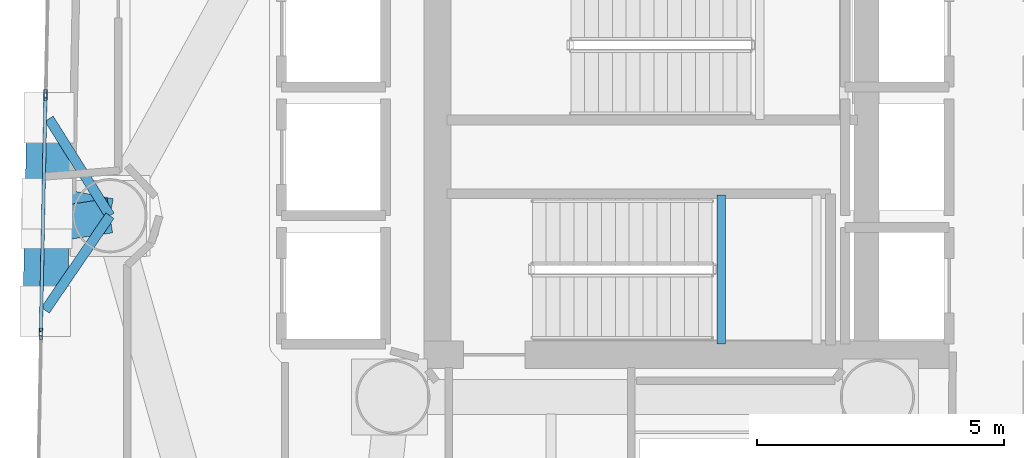
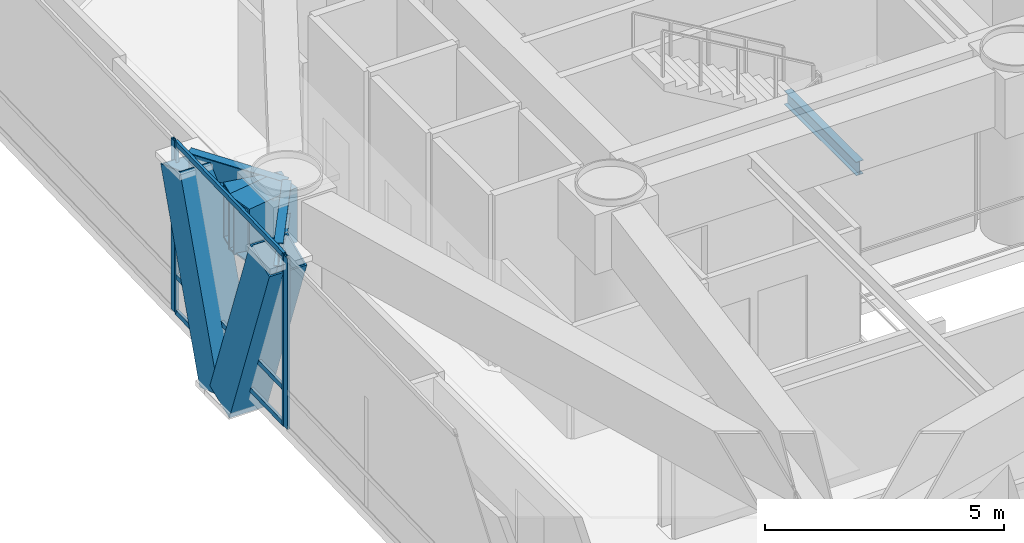
# One storey, part 7 of 22: 9 members, 5 beams, 3 elements without a shape of their own.
"""IFC4 building model written with IfcOpenShell, lengths in metres."""

from ifc_helpers import new_model, si_unit, direction, frame, origin, origin_2d, place, context, subcontext, project, spatial, hollow_rectangle, i_section, extrude, material, layer, layer_set, material_profile, profile_set, type_object, element, aggregate, save


model = new_model("IFC4")

# Units and contexts
model_context = context("Model", 3, precision=1e-05, world=origin(), true_north=direction((0.0, 1.0)))
body_context = subcontext(model_context, "Body", "Model", "MODEL_VIEW")
ifc_project = project(units=[si_unit("LENGTHUNIT", "METRE"), si_unit("AREAUNIT", "SQUARE_METRE"), si_unit("VOLUMEUNIT", "CUBIC_METRE"), si_unit("PLANEANGLEUNIT", "RADIAN"), si_unit("MASSUNIT", "GRAM", prefix="KILO")], contexts=[model_context])

# Site, building, storey
site_placement = place(None, origin())
site = spatial("IfcSite", under=ifc_project, at=site_placement, CompositionType="ELEMENT")
building_placement = place(site_placement, origin())
building = spatial("IfcBuilding", under=site, at=building_placement, Name="Qianvela Tower", CompositionType="ELEMENT")
storey_placement = place(building_placement, frame((0.0, 0.0, 138.5)))
storey = spatial("IfcBuildingStorey", under=building, at=storey_placement, Name="L35", CompositionType="ELEMENT", Elevation=138.5)

# Beams
ifc_material_1 = material(Name="Steel Q355B", Category="steel")
ifc_material_profile_1 = material_profile(ifc_material_1, i_section(OverallWidth=0.175048828125, OverallDepth=0.35009765625, WebThickness=0.007080078125, FlangeThickness=0.010986328125, at=origin_2d()), Name="HN350x175x7x11")
ifc_profile_set_1 = profile_set([ifc_material_profile_1], Name="Steel Q355B")
beam_type_1 = type_object("IfcBeamType", Name="BM-HN350-JOIST", PredefinedType="JOIST", material=ifc_profile_set_1)
beam_1_placement = place(storey_placement, frame((35.239990234375, 24.919921875, 1.925048828125), z_axis=(0.0, 1.0, 0.0), x_axis=(-1.0, 0.0, 0.0)))
element("IfcBeam", 1, at=beam_1_placement, inside=storey, type_object=beam_type_1, Name="L35 Stair ST-2 Landing Support Beam 1.1", PredefinedType="JOIST", context=body_context, shape_type="SweptSolid", body=[
    extrude(i_section(OverallWidth=0.175048828125, OverallDepth=0.35009765625, WebThickness=0.007080078125, FlangeThickness=0.010986328125, at=origin_2d()), origin(), (0.0, 0.0, 1.0), 3.02001953125),
])
ifc_material_2 = material(Name="Steel Q355B", Category="steel")
ifc_material_profile_2 = material_profile(ifc_material_2, i_section(OverallWidth=0.199951171875, OverallDepth=0.60009765625, WebThickness=0.010986328125, FlangeThickness=0.01708984375, at=origin_2d()), Name="HN600x200x11x17")
ifc_profile_set_2 = profile_set([ifc_material_profile_2], Name="Steel Q355B")
beam_type_2 = type_object("IfcBeamType", Name="BM-HN600-GIRD", PredefinedType="BEAM", material=ifc_profile_set_2)
beam_2_placement = place(storey_placement, frame((22.8779296875, 27.51611328125, 4.077880859375), z_axis=(-0.532042131363, 0.846717881266, 0.0), x_axis=(-0.846717881266, -0.532042131363, 0.0)))
element("IfcBeam", 2, at=beam_2_placement, inside=storey, type_object=beam_type_2, Name="L35 Mega-Brace Column Tie Bracket F2-1", PredefinedType="BEAM", context=body_context, shape_type="SweptSolid", body=[
    extrude(i_section(OverallWidth=0.199951171875, OverallDepth=0.60009765625, WebThickness=0.010986328125, FlangeThickness=0.01708984375, at=origin_2d()), origin(), (0.0, 0.0, 1.0), 2.318115234375),
])
beam_3_placement = place(storey_placement, frame((22.8779296875, 27.51611328125, 4.077880859375), z_axis=(-0.564672589739, -0.825315010404, 0.0), x_axis=(0.825315010404, -0.564672589739, 0.0)))
element("IfcBeam", 3, at=beam_3_placement, inside=storey, type_object=beam_type_2, Name="L35 Mega-Brace Column Tie Bracket F2-2", PredefinedType="BEAM", context=body_context, shape_type="SweptSolid", body=[
    extrude(i_section(OverallWidth=0.199951171875, OverallDepth=0.60009765625, WebThickness=0.010986328125, FlangeThickness=0.01708984375, at=origin_2d()), origin(), (0.0, 0.0, 1.0), 2.318359375),
])
ifc_material_3 = material(Name="Steel Q420GJC", Category="steel")
ifc_material_profile_3 = material_profile(ifc_material_3, hollow_rectangle(XDim=0.699951171875, YDim=1.39990234375, WallThickness=0.0400390625, at=origin_2d()), Name="TG-BOX-1400x700x40")
ifc_profile_set_3 = profile_set([ifc_material_profile_3], Name="Steel Q420GJC")
beam_type_3 = type_object("IfcBeamType", Name="BM-TG-STEP-1400", PredefinedType="BEAM", material=ifc_profile_set_3)
beam_4_placement = place(storey_placement, frame((22.8779296875, 27.51611328125, 3.675048828125), z_axis=(-0.98186174814, 0.189598279367, 0.0), x_axis=(-0.189598279367, -0.98186174814, 0.0)))
element("IfcBeam", 4, at=beam_4_placement, inside=storey, type_object=beam_type_3, Name="L35 Mega-Brace Zone Base Bracket F2-1", PredefinedType="BEAM", context=body_context, shape_type="SweptSolid", body=[
    extrude(hollow_rectangle(XDim=0.699951171875, YDim=1.39990234375, WallThickness=0.0400390625, at=origin_2d()), origin(), (0.0, 0.0, 1.0), 1.290283203125),
])
beam_5_placement = place(storey_placement, frame((22.8779296875, 27.51611328125, 3.675048828125), z_axis=(-0.988480796351, -0.151346342025, 0.0), x_axis=(0.151346342025, -0.988480796351, 0.0)))
element("IfcBeam", 5, at=beam_5_placement, inside=storey, type_object=beam_type_3, Name="L35 Mega-Brace Zone Base Bracket F2-2", PredefinedType="BEAM", context=body_context, shape_type="SweptSolid", body=[
    extrude(hollow_rectangle(XDim=0.699951171875, YDim=1.39990234375, WallThickness=0.0400390625, at=origin_2d()), origin(), (0.0, 0.0, 1.0), 1.29052734375),
])

# Curtain wall, members
ifc_material_4 = material(Name="Anodised Architectural Aluminium and Insulated Spandrel Panel", Category="aluminium")
ifc_layer_1 = layer(ifc_material_4, 0.179931640625)
ifc_layer_set_1 = layer_set([ifc_layer_1], Name="Anodised Architectural Aluminium and Insulated Spandrel Panel")
curtain_wall_type_1 = type_object("IfcCurtainWallType", Name="CW-BRACEBAY", PredefinedType="USERDEFINED", material=ifc_layer_set_1)
curtain_wall_1_placement = place(storey_placement, origin())
curtain_wall_1 = element("IfcCurtainWall", 6, at=curtain_wall_1_placement, inside=storey, type_object=curtain_wall_type_1, Name="L35 CW-BRACEBAY Curtain Wall 04B", ObjectType="CURTAIN_WALL_SYSTEM", PredefinedType="USERDEFINED")
ifc_material_5 = material(Name="Anodised Architectural Aluminium 6063-T6", Category="aluminium")
ifc_material_profile_4 = material_profile(ifc_material_5, hollow_rectangle(XDim=0.06494140625, YDim=0.159912109375, WallThickness=0.0048828125, at=origin_2d()), Name="ALU-MULL-65x160")
ifc_profile_set_4 = profile_set([ifc_material_profile_4], Name="Anodised Architectural Aluminium 6063-T6")
member_type_1 = type_object("IfcMemberType", Name="CW-BRACEBAY-MULL", PredefinedType="MULLION", material=ifc_profile_set_4)
member_1_placement = place(storey_placement, frame((21.5732421875, 29.923583984375, 0.0), z_axis=(0.0, 0.0, 1.0), x_axis=(0.99980898954, -0.019544422075, 0.0)))
member_1 = element("IfcMember", 7, at=member_1_placement, type_object=member_type_1, Name="CW-9 mullion 1", PredefinedType="MULLION", context=body_context, shape_type="SweptSolid", body=[
    extrude(hollow_rectangle(XDim=0.06494140625, YDim=0.159912109375, WallThickness=0.0048828125, at=origin_2d()), origin(), (0.0, 0.0, 1.0), 4.3798828125),
])
member_2_placement = place(storey_placement, frame((21.480224609375, 25.159423828125, 0.0), z_axis=(0.0, 0.0, 1.0), x_axis=(0.99980898954, -0.019544422075, 0.0)))
member_2 = element("IfcMember", 8, at=member_2_placement, type_object=member_type_1, Name="CW-9 mullion 2", PredefinedType="MULLION", context=body_context, shape_type="SweptSolid", body=[
    extrude(hollow_rectangle(XDim=0.06494140625, YDim=0.159912109375, WallThickness=0.0048828125, at=origin_2d()), origin(), (0.0, 0.0, 1.0), 4.3798828125),
])
ifc_material_6 = material(Name="Anodised Architectural Aluminium 6063-T6", Category="aluminium")
ifc_material_profile_5 = material_profile(ifc_material_6, hollow_rectangle(XDim=0.06494140625, YDim=0.1298828125, WallThickness=0.00439453125, at=origin_2d()), Name="ALU-TRAN-65x130")
ifc_profile_set_5 = profile_set([ifc_material_profile_5], Name="Anodised Architectural Aluminium 6063-T6")
member_type_2 = type_object("IfcMemberType", Name="CW-BRACEBAY-TRAN", PredefinedType="USERDEFINED", material=ifc_profile_set_5)
member_3_placement = place(storey_placement, frame((21.572509765625, 29.89111328125, 0.032470703125), z_axis=(-0.019530771008, -0.9998092563, 0.0), x_axis=(0.9998092563, -0.019530771008, 0.0)))
member_3 = element("IfcMember", 9, at=member_3_placement, type_object=member_type_2, Name="CW-9 transom 1.1", ObjectType="TRANSOM", PredefinedType="USERDEFINED", context=body_context, shape_type="SweptSolid", body=[
    extrude(hollow_rectangle(XDim=0.06494140625, YDim=0.1298828125, WallThickness=0.00439453125, at=origin_2d()), origin(), (0.0, 0.0, 1.0), 4.7001953125),
])
member_4_placement = place(storey_placement, frame((21.572509765625, 29.89111328125, 0.949951171875), z_axis=(-0.019530771008, -0.9998092563, 0.0), x_axis=(0.9998092563, -0.019530771008, 0.0)))
member_4 = element("IfcMember", 10, at=member_4_placement, type_object=member_type_2, Name="CW-9 transom 1.2", ObjectType="TRANSOM", PredefinedType="USERDEFINED", context=body_context, shape_type="SweptSolid", body=[
    extrude(hollow_rectangle(XDim=0.06494140625, YDim=0.1298828125, WallThickness=0.00439453125, at=origin_2d()), origin(), (0.0, 0.0, 1.0), 4.7001953125),
])
member_5_placement = place(storey_placement, frame((21.572509765625, 29.89111328125, 4.347412109375), z_axis=(-0.019530771008, -0.9998092563, 0.0), x_axis=(0.9998092563, -0.019530771008, 0.0)))
member_5 = element("IfcMember", 11, at=member_5_placement, type_object=member_type_2, Name="CW-9 transom 1.3", ObjectType="TRANSOM", PredefinedType="USERDEFINED", context=body_context, shape_type="SweptSolid", body=[
    extrude(hollow_rectangle(XDim=0.06494140625, YDim=0.1298828125, WallThickness=0.00439453125, at=origin_2d()), origin(), (0.0, 0.0, 1.0), 4.7001953125),
])
aggregate(curtain_wall_1, [member_1, member_2, member_3, member_4, member_5])

# Curtain wall, member
ifc_material_7 = material(Name="Anodised Architectural Aluminium and Low-E Glass", Category="aluminium")
ifc_layer_2 = layer(ifc_material_7, 0.169921875)
ifc_layer_set_2 = layer_set([ifc_layer_2], Name="Anodised Architectural Aluminium and Low-E Glass")
curtain_wall_type_2 = type_object("IfcCurtainWallType", Name="CW-COLIV-Z34", PredefinedType="USERDEFINED", material=ifc_layer_set_2)
curtain_wall_2_placement = place(storey_placement, origin())
curtain_wall_2 = element("IfcCurtainWall", 12, at=curtain_wall_2_placement, inside=storey, type_object=curtain_wall_type_2, Name="L35 CW-COLIV-Z34 Curtain Wall 04A", ObjectType="CURTAIN_WALL_SYSTEM", PredefinedType="USERDEFINED")
ifc_material_8 = material(Name="Anodised Architectural Aluminium 6063-T6", Category="aluminium")
ifc_material_profile_6 = material_profile(ifc_material_8, hollow_rectangle(XDim=0.06494140625, YDim=0.159912109375, WallThickness=0.0048828125, at=origin_2d()), Name="ALU-MULL-65x160")
ifc_profile_set_6 = profile_set([ifc_material_profile_6], Name="Anodised Architectural Aluminium 6063-T6")
member_type_3 = type_object("IfcMemberType", Name="CW-COLIV-Z34-MULL", PredefinedType="MULLION", material=ifc_profile_set_6)
member_6_placement = place(storey_placement, frame((21.574462890625, 29.988525390625, 0.0), z_axis=(0.0, 0.0, 1.0), x_axis=(0.999808935955, -0.019547163079, 0.0)))
member_6 = element("IfcMember", 13, at=member_6_placement, type_object=member_type_3, Name="CW-4 mullion 2", PredefinedType="MULLION", context=body_context, shape_type="SweptSolid", body=[
    extrude(hollow_rectangle(XDim=0.06494140625, YDim=0.159912109375, WallThickness=0.0048828125, at=origin_2d()), origin(), (0.0, 0.0, 1.0), 4.3798828125),
])
aggregate(curtain_wall_2, [member_6])

curtain_wall_3_placement = place(storey_placement, origin())
curtain_wall_3 = element("IfcCurtainWall", 14, at=curtain_wall_3_placement, inside=storey, type_object=curtain_wall_type_2, Name="L35 CW-COLIV-Z34 Curtain Wall 04C", ObjectType="CURTAIN_WALL_SYSTEM", PredefinedType="USERDEFINED")
member_7_placement = place(storey_placement, frame((21.478759765625, 25.094482421875, 0.0), z_axis=(0.0, 0.0, 1.0), x_axis=(0.999809021211, -0.019542801881, 0.0)))
member_7 = element("IfcMember", 15, at=member_7_placement, type_object=member_type_3, Name="CW-4 mullion 1", PredefinedType="MULLION", context=body_context, shape_type="SweptSolid", body=[
    extrude(hollow_rectangle(XDim=0.06494140625, YDim=0.159912109375, WallThickness=0.0048828125, at=origin_2d()), origin(), (0.0, 0.0, 1.0), 4.3798828125),
])
aggregate(curtain_wall_3, [member_7])

# Members
ifc_material_9 = material(Name="Steel Q420GJC", Category="steel")
ifc_material_profile_7 = material_profile(ifc_material_9, hollow_rectangle(XDim=0.89990234375, YDim=0.89990234375, WallThickness=0.035888671875, at=origin_2d()), Name="MBOX-900x900x36")
ifc_profile_set_7 = profile_set([ifc_material_profile_7], Name="Steel Q420GJC")
member_type_4 = type_object("IfcMemberType", Name="MBR-MBRACE-900", PredefinedType="BRACE", material=ifc_profile_set_7)
member_8_placement = place(storey_placement, frame((21.611572265625, 27.78271484375, -0.60205078125), z_axis=(0.006620961153, 0.340758800675, 0.940127439572), x_axis=(-0.999811289974, 0.019426385168, 0.0)))
element("IfcMember", 16, at=member_8_placement, inside=storey, type_object=member_type_4, Name="L35 Tier 6 Exterior Mega-Brace F2A", PredefinedType="BRACE", context=body_context, shape_type="SweptSolid", body=[
    extrude(hollow_rectangle(XDim=0.89990234375, YDim=0.89990234375, WallThickness=0.035888671875, at=origin_2d()), origin(), (0.0, 0.0, 1.0), 4.97802734375),
])
member_9_placement = place(storey_placement, frame((21.602783203125, 27.3427734375, -0.60205078125), z_axis=(-0.006796566199, -0.348482930225, 0.937290485405), x_axis=(0.999809864938, -0.019499589059, 0.0)))
element("IfcMember", 17, at=member_9_placement, inside=storey, type_object=member_type_4, Name="L35 Tier 6 Exterior Mega-Brace F2B", PredefinedType="BRACE", context=body_context, shape_type="SweptSolid", body=[
    extrude(hollow_rectangle(XDim=0.89990234375, YDim=0.89990234375, WallThickness=0.035888671875, at=origin_2d()), origin(), (0.0, 0.0, 1.0), 4.9931640625),
])

save(model, "model.ifc")
